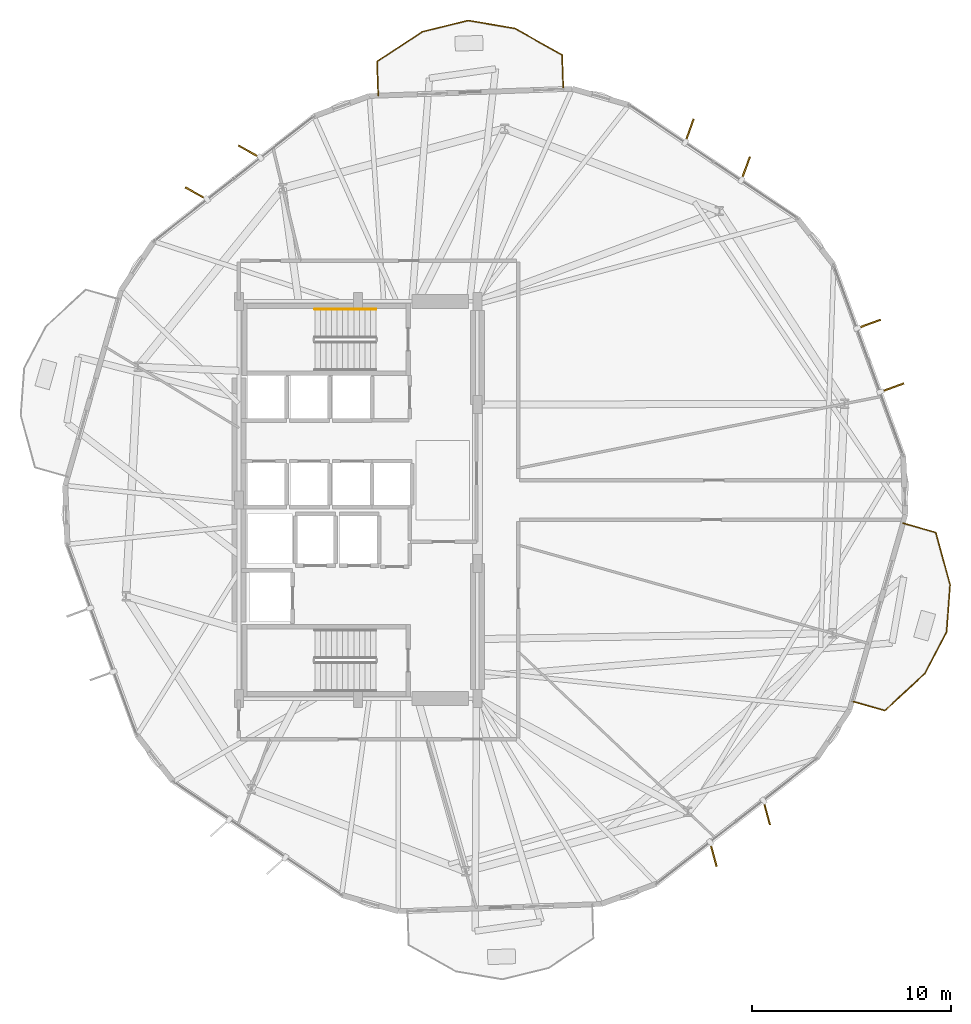
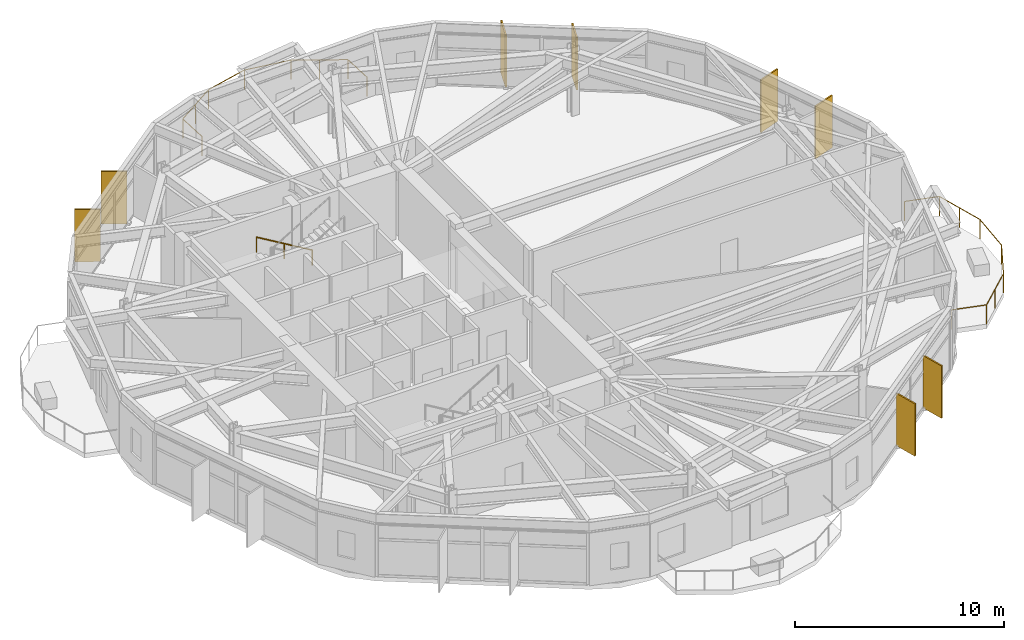
# One storey, part 21 of 21: 8 shading devices, 3 railings.
"""IFC4 building model written with IfcOpenShell, lengths in metres."""

from ifc_helpers import new_model, si_unit, direction, frame, origin, origin_2d, place, context, subcontext, project, spatial, rectangle, circle, extrude, material, layer, layer_set, type_object, element, save


model = new_model("IFC4")

# Units and contexts
model_context = context("Model", 3, precision=1e-05, world=origin(), true_north=direction((0.0, 1.0)))
body_context = subcontext(model_context, "Body", "Model", "MODEL_VIEW")
ifc_project = project(units=[si_unit("LENGTHUNIT", "METRE"), si_unit("AREAUNIT", "SQUARE_METRE"), si_unit("VOLUMEUNIT", "CUBIC_METRE"), si_unit("PLANEANGLEUNIT", "RADIAN"), si_unit("MASSUNIT", "GRAM", prefix="KILO")], contexts=[model_context])

# Site, building, storey
site_placement = place(None, origin())
site = spatial("IfcSite", under=ifc_project, at=site_placement, CompositionType="ELEMENT")
building_placement = place(site_placement, origin())
building = spatial("IfcBuilding", under=site, at=building_placement, Name="Soratama Intermodal Tower", CompositionType="ELEMENT")
storey_placement = place(building_placement, frame((0.0, 0.0, 34.60009765625)))
storey = spatial("IfcBuildingStorey", under=building, at=storey_placement, Name="L07", CompositionType="ELEMENT", Elevation=34.60009765625)

# Railings
ifc_material_1 = material(Name="Laminated glass and stainless steel balustrade", Category="steel")
railing_type_1 = type_object("IfcRailingType", Name="RL-BAL-1150", PredefinedType="BALUSTRADE", material=ifc_material_1)
railing_1_placement = place(storey_placement, frame((66.02197265625, 23.836181640625, 0.0)))
element("IfcRailing", 1, at=railing_1_placement, inside=storey, type_object=railing_type_1, Name="L07 Balcony Balustrade 1", PredefinedType="BALUSTRADE", context=body_context, shape_type="SweptSolid", body=[
    extrude(circle(Radius=0.02392578125, at=origin_2d()), frame((0.0, 0.0, 1.1259765625), z_axis=(0.961465009279, -0.274927328458, 0.0), x_axis=(0.274927328458, 0.961465009279, 0.0)), (0.0, 0.0, 1.0), 1.719970703125),
    extrude(circle(Radius=0.02392578125, at=origin_2d()), frame((1.65380859375, -0.472900390625, 1.1259765625), z_axis=(0.263965873988, -0.964532019878, 0.0), x_axis=(0.964532019878, 0.263965873988, 0.0)), (0.0, 0.0, 1.0), 2.7265625),
    extrude(circle(Radius=0.02392578125, at=origin_2d()), frame((2.37353515625, -3.102783203125, 1.1259765625), z_axis=(-0.073425941534, -0.99730067237, 0.0), x_axis=(0.99730067237, -0.073425941534, 0.0)), (0.0, 0.0, 1.0), 2.380615234375),
    extrude(circle(Radius=0.02392578125, at=origin_2d()), frame((2.19873046875, -5.47705078125, 1.1259765625), z_axis=(-0.464968552139, -0.885327196872, 0.0), x_axis=(0.885327196872, -0.464968552139, 0.0)), (0.0, 0.0, 1.0), 2.380615234375),
    extrude(circle(Radius=0.02392578125, at=origin_2d()), frame((1.091796875, -7.584716796875, 1.1259765625), z_axis=(-0.73405815603, -0.679086609768, 0.0), x_axis=(0.679086609768, -0.73405815603, 0.0)), (0.0, 0.0, 1.0), 2.726806640625),
    extrude(circle(Radius=0.02392578125, at=origin_2d()), frame((-0.909912109375, -9.4365234375, 1.1259765625), z_axis=(-0.961416743637, 0.275096065136, 0.0), x_axis=(-0.275096065136, -0.961416743637, 0.0)), (0.0, 0.0, 1.0), 1.719970703125),
    extrude(circle(Radius=0.02099609375, at=origin_2d()), origin(), (0.0, 0.0, 1.0), 1.101806640625),
    extrude(circle(Radius=0.02099609375, at=origin_2d()), frame((1.65380859375, -0.472900390625, 0.0)), (0.0, 0.0, 1.0), 1.101806640625),
    extrude(circle(Radius=0.02099609375, at=origin_2d()), frame((2.013671875, -1.787841796875, 0.0)), (0.0, 0.0, 1.0), 1.101806640625),
    extrude(circle(Radius=0.02099609375, at=origin_2d()), frame((2.37353515625, -3.102783203125, 0.0)), (0.0, 0.0, 1.0), 1.101806640625),
    extrude(circle(Radius=0.02099609375, at=origin_2d()), frame((2.19873046875, -5.47705078125, 0.0)), (0.0, 0.0, 1.0), 1.101806640625),
    extrude(circle(Radius=0.02099609375, at=origin_2d()), frame((1.091796875, -7.584716796875, 0.0)), (0.0, 0.0, 1.0), 1.101806640625),
    extrude(circle(Radius=0.02099609375, at=origin_2d()), frame((0.0908203125, -8.5107421875, 0.0)), (0.0, 0.0, 1.0), 1.101806640625),
    extrude(circle(Radius=0.02099609375, at=origin_2d()), frame((-0.909912109375, -9.4365234375, 0.0)), (0.0, 0.0, 1.0), 1.101806640625),
    extrude(circle(Radius=0.02099609375, at=origin_2d()), frame((-2.5634765625, -8.96337890625, 0.0)), (0.0, 0.0, 1.0), 1.101806640625),
])
railing_2_placement = place(storey_placement, frame((39.610595703125, 45.3525390625, 0.0)))
element("IfcRailing", 2, at=railing_2_placement, inside=storey, type_object=railing_type_1, Name="L07 Balcony Balustrade 2", PredefinedType="BALUSTRADE", context=body_context, shape_type="SweptSolid", body=[
    extrude(circle(Radius=0.02392578125, at=origin_2d()), frame((0.0, 0.0, 1.1259765625), z_axis=(-0.035625715932, 0.999365202698, 0.0), x_axis=(-0.999365202698, -0.035625715932, 0.0)), (0.0, 0.0, 1.0), 1.719970703125),
    extrude(circle(Radius=0.02392578125, at=origin_2d()), frame((-0.061279296875, 1.718994140625, 1.1259765625), z_axis=(0.83576417487, 0.549088557523, 0.0), x_axis=(-0.549088557523, 0.83576417487, 0.0)), (0.0, 0.0, 1.0), 2.726806640625),
    extrude(circle(Radius=0.02392578125, at=origin_2d()), frame((2.2177734375, 3.21630859375, 1.1259765625), z_axis=(0.971183081212, 0.238334686456, 0.0), x_axis=(-0.238334686456, 0.971183081212, 0.0)), (0.0, 0.0, 1.0), 2.380615234375),
    extrude(circle(Radius=0.02392578125, at=origin_2d()), frame((4.52978515625, 3.78369140625, 1.1259765625), z_axis=(0.985666626506, -0.168704775841, 0.0), x_axis=(0.168704775841, 0.985666626506, 0.0)), (0.0, 0.0, 1.0), 2.380615234375),
    extrude(circle(Radius=0.02392578125, at=origin_2d()), frame((6.876220703125, 3.382080078125, 1.1259765625), z_axis=(0.872709005567, -0.488240710717, 0.0), x_axis=(0.488240710717, 0.872709005567, 0.0)), (0.0, 0.0, 1.0), 2.726806640625),
    extrude(circle(Radius=0.02392578125, at=origin_2d()), frame((9.255859375, 2.05078125, 1.1259765625), z_axis=(0.035630769979, -0.999365022517, 0.0), x_axis=(0.999365022517, 0.035630769979, 0.0)), (0.0, 0.0, 1.0), 1.7197265625),
    extrude(circle(Radius=0.02099609375, at=origin_2d()), origin(), (0.0, 0.0, 1.0), 1.101806640625),
    extrude(circle(Radius=0.02099609375, at=origin_2d()), frame((-0.061279296875, 1.718994140625, 0.0)), (0.0, 0.0, 1.0), 1.101806640625),
    extrude(circle(Radius=0.02099609375, at=origin_2d()), frame((1.078125, 2.4677734375, 0.0)), (0.0, 0.0, 1.0), 1.101806640625),
    extrude(circle(Radius=0.02099609375, at=origin_2d()), frame((2.2177734375, 3.21630859375, 0.0)), (0.0, 0.0, 1.0), 1.101806640625),
    extrude(circle(Radius=0.02099609375, at=origin_2d()), frame((4.52978515625, 3.78369140625, 0.0)), (0.0, 0.0, 1.0), 1.101806640625),
    extrude(circle(Radius=0.02099609375, at=origin_2d()), frame((6.876220703125, 3.382080078125, 0.0)), (0.0, 0.0, 1.0), 1.101806640625),
    extrude(circle(Radius=0.02099609375, at=origin_2d()), frame((8.06591796875, 2.71630859375, 0.0)), (0.0, 0.0, 1.0), 1.101806640625),
    extrude(circle(Radius=0.02099609375, at=origin_2d()), frame((9.255859375, 2.05078125, 0.0)), (0.0, 0.0, 1.0), 1.101806640625),
    extrude(circle(Radius=0.02099609375, at=origin_2d()), frame((9.317138671875, 0.33203125, 0.0)), (0.0, 0.0, 1.0), 1.101806640625),
])
ifc_material_2 = material(Name="Brushed stainless steel handrail", Category="steel")
railing_type_2 = type_object("IfcRailingType", Name="RL-STAIR-HAND", PredefinedType="HANDRAIL", material=ifc_material_2)
railing_3_placement = place(storey_placement, frame((39.5, 34.60009765625, 0.16650390625)))
element("IfcRailing", 3, at=railing_3_placement, inside=storey, type_object=railing_type_2, Name="L07 ST-2 stair handrail 1", PredefinedType="HANDRAIL", context=body_context, shape_type="SweptSolid", body=[
    extrude(circle(Radius=0.02392578125, at=origin_2d()), frame((0.0, 0.0, 0.8759765625), z_axis=(-0.85927862911, 0.0, 0.511507807912), x_axis=(0.0, -1.0, 0.0)), (0.0, 0.0, 1.0), 3.58447265625),
    extrude(circle(Radius=0.02099609375, at=origin_2d()), origin(), (0.0, 0.0, 1.0), 0.851806640625),
    extrude(circle(Radius=0.02099609375, at=origin_2d()), frame((-1.5400390625, 0.0, 0.916748046875)), (0.0, 0.0, 1.0), 0.851806640625),
    extrude(circle(Radius=0.02099609375, at=origin_2d()), frame((-3.080078125, 0.0, 1.83349609375)), (0.0, 0.0, 1.0), 0.851806640625),
])

# Shading devices
ifc_material_3 = material(Name="Champagne anodised aluminium solar fin", Category="aluminium")
ifc_layer = layer(ifc_material_3, 0.080078125)
ifc_layer_set = layer_set([ifc_layer], Name="Champagne anodised aluminium solar fin")
shading_device_type = type_object("IfcShadingDeviceType", Name="SH-FIN-1250", PredefinedType="USERDEFINED", material=ifc_layer_set)
for number, where, z_axis, x_axis, name in (
    (4, (65.478271484375, 30.656005859375, 0.019775390625), (0.0, 0.0, 1.0), (0.939453616704, 0.342676089132, 0.0), "L07 Solar Fin F01-1"),
    (5, (64.310546875, 33.857421875, 0.019775390625), (0.0, 0.0, 1.0), (0.939453616704, 0.342676089132, 0.0), "L07 Solar Fin F01-2"),
    (6, (58.1015625, 41.684326171875, 0.019775390625), (0.0, 0.0, 1.0), (0.339558864524, 0.94058480613, 0.0), "L07 Solar Fin F02-1"),
    (7, (55.27490234375, 43.587890625, 0.019775390625), (0.0, 0.0, 1.0), (0.339558864524, 0.94058480613, 0.0), "L07 Solar Fin F02-2"),
    (8, (33.126708984375, 42.5341796875, 0.019775390625), (0.0, 0.0, 1.0), (-0.873517458663, 0.486792819803, 0.0), "L07 Solar Fin F04-1"),
    (9, (30.44287109375, 40.434326171875, 0.019775390625), (0.0, 0.0, 1.0), (-0.873517458663, 0.486792819803, 0.0), "L07 Solar Fin F04-2"),
    (10, (56.479248046875, 7.157470703125, 0.019775390625), (0.0, 0.0, 1.0), (0.262526016964, -0.964924914393, 0.0), "L07 Solar Fin F09-1"),
    (11, (59.1630859375, 9.25732421875, 0.019775390625), (0.0, 0.0, 1.0), (0.262526016964, -0.964924914393, 0.0), "L07 Solar Fin F09-2"),
):
    element("IfcShadingDevice", number, at=place(storey_placement, frame(where, z_axis=z_axis, x_axis=x_axis)), inside=storey, type_object=shading_device_type, Name=name, ObjectType="FIN", PredefinedType="USERDEFINED", context=body_context, shape_type="SweptSolid", body=[
        extrude(rectangle(XDim=1.25, YDim=0.080078125, at=origin_2d()), origin(), (0.0, 0.0, 1.0), 3.05908203125),
    ])

save(model, "model.ifc")
